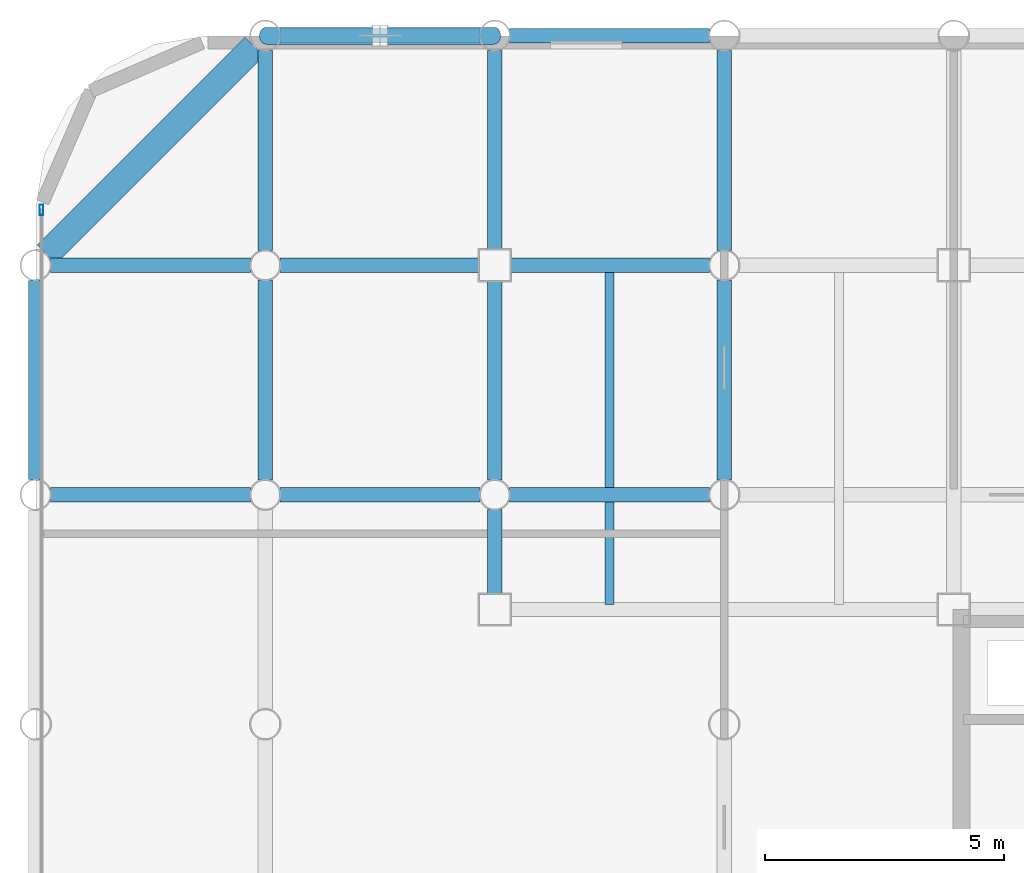
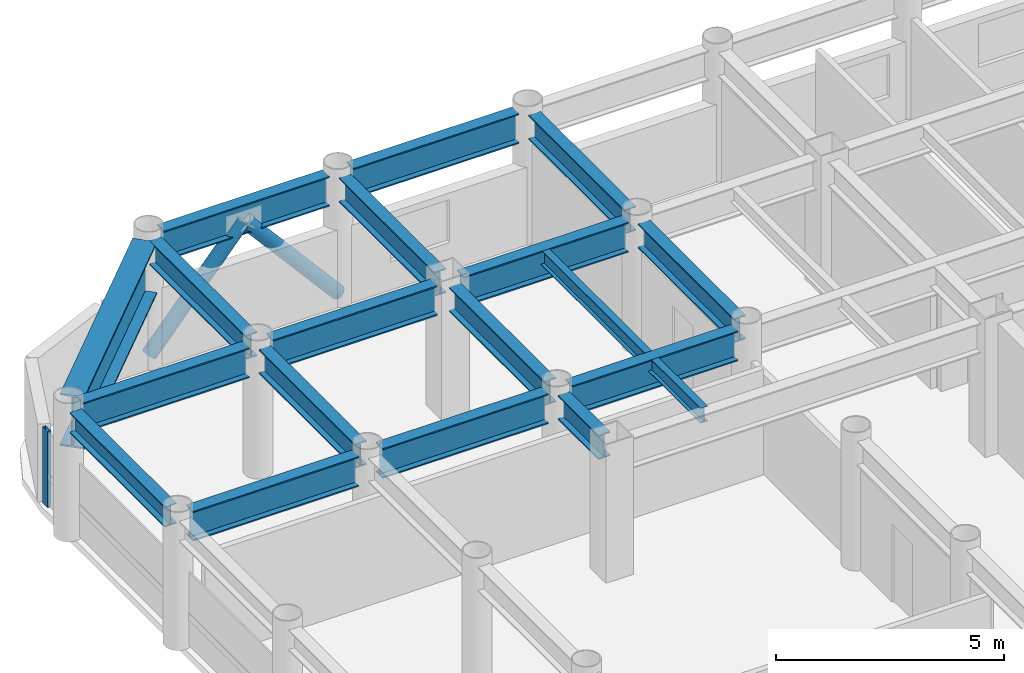
# One storey, part 9 of 20: 18 beams, 3 members, 1 element without a shape of its own.
"""IFC4 building model written with IfcOpenShell, lengths in metres."""

from ifc_helpers import new_model, si_unit, direction, frame, origin, origin_2d, place, context, subcontext, project, spatial, hollow_rectangle, hollow_circle, i_section, extrude, material, layer, layer_set, material_profile, profile_set, type_object, element, aggregate, save


model = new_model("IFC4")

# Units and contexts
model_context = context("Model", 3, precision=1e-05, world=origin(), true_north=direction((0.0, 1.0)))
body_context = subcontext(model_context, "Body", "Model", "MODEL_VIEW")
ifc_project = project(units=[si_unit("LENGTHUNIT", "METRE"), si_unit("AREAUNIT", "SQUARE_METRE"), si_unit("VOLUMEUNIT", "CUBIC_METRE"), si_unit("PLANEANGLEUNIT", "RADIAN"), si_unit("MASSUNIT", "GRAM", prefix="KILO")], contexts=[model_context])

# Site, building, storey
site_placement = place(None, origin())
site = spatial("IfcSite", under=ifc_project, at=site_placement, CompositionType="ELEMENT")
building_placement = place(site_placement, origin())
building = spatial("IfcBuilding", under=site, at=building_placement, Name="Kallvorn Hotel Tower", CompositionType="ELEMENT")
storey_placement = place(building_placement, frame((0.0, 0.0, 176.60009765625)))
storey = spatial("IfcBuildingStorey", under=building, at=storey_placement, Name="L44", CompositionType="ELEMENT", Elevation=176.60009765625)

# Beams
ifc_material_1 = material(Name="Structural steel S355JR", Category="steel")
ifc_material_profile_1 = material_profile(ifc_material_1, i_section(OverallWidth=0.300048828125, OverallDepth=0.550048828125, WebThickness=0.014892578125, FlangeThickness=0.029052734375, at=origin_2d()), Name="HE 550 B")
ifc_profile_set_1 = profile_set([ifc_material_profile_1], Name="Structural steel S355JR")
beam_type_1 = type_object("IfcBeamType", Name="BM_HE550B", PredefinedType="SPANDREL", material=ifc_profile_set_1)
beam_1_placement = place(storey_placement, frame((-33.60009765625, 9.919921875, 3.204833984375), z_axis=(0.0, 1.0, 0.0), x_axis=(-1.0, 0.0, 0.0)))
element("IfcBeam", 1, at=beam_1_placement, inside=storey, type_object=beam_type_1, Name="L45 Perimeter Spandrel 180", PredefinedType="SPANDREL", context=body_context, shape_type="SweptSolid", body=[
    extrude(i_section(OverallWidth=0.300048828125, OverallDepth=0.550048828125, WebThickness=0.014892578125, FlangeThickness=0.029052734375, at=origin_2d()), origin(), (0.0, 0.0, 1.0), 4.16015625),
])
ifc_material_2 = material(Name="Structural steel S355JR", Category="steel")
ifc_material_profile_2 = material_profile(ifc_material_2, i_section(OverallWidth=0.300048828125, OverallDepth=0.64990234375, WebThickness=0.01611328125, FlangeThickness=0.031005859375, at=origin_2d()), Name="HE 650 B")
ifc_profile_set_2 = profile_set([ifc_material_profile_2], Name="Structural steel S355JR")
beam_type_2 = type_object("IfcBeamType", Name="BM_HE650B", PredefinedType="BEAM", material=ifc_profile_set_2)
for number, where, z_axis, x_axis, name in (
    (2, (-28.800048828125, 9.905029296875, 3.15478515625), (0.0, 1.0, 0.0), (-1.0, 0.0, 0.0), "L45 Primary Y-Girder 80"),
    (3, (-28.800048828125, 14.705078125, 3.15478515625), (0.0, 1.0, 0.0), (-1.0, 0.0, 0.0), "L45 Primary Y-Girder 81"),
):
    element("IfcBeam", number, at=place(storey_placement, frame(where, z_axis=z_axis, x_axis=x_axis)), inside=storey, type_object=beam_type_2, Name=name, PredefinedType="BEAM", context=body_context, shape_type="SweptSolid", body=[
        extrude(i_section(OverallWidth=0.300048828125, OverallDepth=0.64990234375, WebThickness=0.01611328125, FlangeThickness=0.031005859375, at=origin_2d()), origin(), (0.0, 0.0, 1.0), 4.18994140625),
    ])
beam_2_placement = place(storey_placement, frame((-24.0, 7.52490234375, 3.15478515625), z_axis=(0.0, 1.0, 0.0), x_axis=(-1.0, 0.0, 0.0)))
element("IfcBeam", 4, at=beam_2_placement, inside=storey, type_object=beam_type_2, Name="L45 Primary Y-Girder 86", PredefinedType="BEAM", context=body_context, shape_type="SweptSolid", body=[
    extrude(i_section(OverallWidth=0.300048828125, OverallDepth=0.64990234375, WebThickness=0.01611328125, FlangeThickness=0.031005859375, at=origin_2d()), origin(), (0.0, 0.0, 1.0), 1.77001953125),
])
for number, where, z_axis, x_axis, name in (
    (5, (-24.0, 9.905029296875, 3.15478515625), (0.0, 1.0, 0.0), (-1.0, 0.0, 0.0), "L45 Primary Y-Girder 87"),
    (6, (-24.0, 14.72509765625, 3.15478515625), (0.0, 1.0, 0.0), (-1.0, 0.0, 0.0), "L45 Primary Y-Girder 88"),
):
    element("IfcBeam", number, at=place(storey_placement, frame(where, z_axis=z_axis, x_axis=x_axis)), inside=storey, type_object=beam_type_2, Name=name, PredefinedType="BEAM", context=body_context, shape_type="SweptSolid", body=[
        extrude(i_section(OverallWidth=0.300048828125, OverallDepth=0.64990234375, WebThickness=0.01611328125, FlangeThickness=0.031005859375, at=origin_2d()), origin(), (0.0, 0.0, 1.0), 4.169921875),
    ])
for number, where, z_axis, x_axis, name in (
    (7, (-19.199951171875, 9.905029296875, 3.15478515625), (0.0, 1.0, 0.0), (-1.0, 0.0, 0.0), "L45 Primary Y-Girder 96"),
    (8, (-19.199951171875, 14.705078125, 3.15478515625), (0.0, 1.0, 0.0), (-1.0, 0.0, 0.0), "L45 Primary Y-Girder 97"),
):
    element("IfcBeam", number, at=place(storey_placement, frame(where, z_axis=z_axis, x_axis=x_axis)), inside=storey, type_object=beam_type_2, Name=name, PredefinedType="BEAM", context=body_context, shape_type="SweptSolid", body=[
        extrude(i_section(OverallWidth=0.300048828125, OverallDepth=0.64990234375, WebThickness=0.01611328125, FlangeThickness=0.031005859375, at=origin_2d()), origin(), (0.0, 0.0, 1.0), 4.18994140625),
    ])
ifc_material_3 = material(Name="Structural steel S355JR", Category="steel")
ifc_material_profile_3 = material_profile(ifc_material_3, i_section(OverallWidth=0.300048828125, OverallDepth=0.800048828125, WebThickness=0.017578125, FlangeThickness=0.032958984375, at=origin_2d()), Name="HE 800 B")
ifc_profile_set_3 = profile_set([ifc_material_profile_3], Name="Structural steel S355JR")
beam_type_3 = type_object("IfcBeamType", Name="BM_HE800B", PredefinedType="BEAM", material=ifc_profile_set_3)
beam_3_placement = place(storey_placement, frame((-33.294921875, 9.60009765625, 3.079833984375), z_axis=(1.0, 0.0, 0.0), x_axis=(0.0, 1.0, 0.0)))
element("IfcBeam", 9, at=beam_3_placement, inside=storey, type_object=beam_type_3, Name="L45 Primary X-Girder 42", PredefinedType="BEAM", context=body_context, shape_type="SweptSolid", body=[
    extrude(i_section(OverallWidth=0.300048828125, OverallDepth=0.800048828125, WebThickness=0.017578125, FlangeThickness=0.032958984375, at=origin_2d()), origin(), (0.0, 0.0, 1.0), 4.18994140625),
])
for number, where, z_axis, x_axis, name in (
    (10, (-28.4951171875, 9.60009765625, 3.079833984375), (1.0, 0.0, 0.0), (0.0, 1.0, 0.0), "L45 Primary X-Girder 43"),
    (11, (-23.695068359375, 9.60009765625, 3.079833984375), (1.0, 0.0, 0.0), (0.0, 1.0, 0.0), "L45 Primary X-Girder 44"),
):
    element("IfcBeam", number, at=place(storey_placement, frame(where, z_axis=z_axis, x_axis=x_axis)), inside=storey, type_object=beam_type_3, Name=name, PredefinedType="BEAM", context=body_context, shape_type="SweptSolid", body=[
        extrude(i_section(OverallWidth=0.300048828125, OverallDepth=0.800048828125, WebThickness=0.017578125, FlangeThickness=0.032958984375, at=origin_2d()), origin(), (0.0, 0.0, 1.0), 4.190185546875),
    ])
beam_4_placement = place(storey_placement, frame((-33.294921875, 14.39990234375, 3.079833984375), z_axis=(1.0, 0.0, 0.0), x_axis=(0.0, 1.0, 0.0)))
element("IfcBeam", 12, at=beam_4_placement, inside=storey, type_object=beam_type_3, Name="L45 Primary X-Girder 51", PredefinedType="BEAM", context=body_context, shape_type="SweptSolid", body=[
    extrude(i_section(OverallWidth=0.300048828125, OverallDepth=0.800048828125, WebThickness=0.017578125, FlangeThickness=0.032958984375, at=origin_2d()), origin(), (0.0, 0.0, 1.0), 4.18994140625),
])
for number, where, z_axis, x_axis, name in (
    (13, (-28.4951171875, 14.39990234375, 3.079833984375), (1.0, 0.0, 0.0), (0.0, 1.0, 0.0), "L45 Primary X-Girder 52"),
    (14, (-23.675048828125, 14.39990234375, 3.079833984375), (1.0, 0.0, 0.0), (0.0, 1.0, 0.0), "L45 Primary X-Girder 53"),
):
    element("IfcBeam", number, at=place(storey_placement, frame(where, z_axis=z_axis, x_axis=x_axis)), inside=storey, type_object=beam_type_3, Name=name, PredefinedType="BEAM", context=body_context, shape_type="SweptSolid", body=[
        extrude(i_section(OverallWidth=0.300048828125, OverallDepth=0.800048828125, WebThickness=0.017578125, FlangeThickness=0.032958984375, at=origin_2d()), origin(), (0.0, 0.0, 1.0), 4.170166015625),
    ])
for number, where, z_axis, x_axis, name in (
    (15, (-28.4951171875, 19.199951171875, 3.079833984375), (1.0, 0.0, 0.0), (0.0, 1.0, 0.0), "L45 Primary X-Girder 61"),
    (16, (-23.695068359375, 19.199951171875, 3.079833984375), (1.0, 0.0, 0.0), (0.0, 1.0, 0.0), "L45 Primary X-Girder 62"),
):
    element("IfcBeam", number, at=place(storey_placement, frame(where, z_axis=z_axis, x_axis=x_axis)), inside=storey, type_object=beam_type_3, Name=name, PredefinedType="BEAM", context=body_context, shape_type="SweptSolid", body=[
        extrude(i_section(OverallWidth=0.300048828125, OverallDepth=0.800048828125, WebThickness=0.017578125, FlangeThickness=0.032958984375, at=origin_2d()), origin(), (0.0, 0.0, 1.0), 4.190185546875),
    ])
ifc_material_4 = material(Name="Structural steel S355JR", Category="steel")
ifc_material_profile_4 = material_profile(ifc_material_4, i_section(OverallWidth=0.179931640625, OverallDepth=0.39990234375, WebThickness=0.008544921875, FlangeThickness=0.013427734375, at=origin_2d()), Name="IPE 400")
ifc_profile_set_4 = profile_set([ifc_material_profile_4], Name="Structural steel S355JR")
beam_type_4 = type_object("IfcBeamType", Name="BM_IPE400", PredefinedType="JOIST", material=ifc_profile_set_4)
beam_5_placement = place(storey_placement, frame((-21.60009765625, 7.300048828125, 3.27978515625), z_axis=(0.0, 1.0, 0.0), x_axis=(-1.0, 0.0, 0.0)))
element("IfcBeam", 17, at=beam_5_placement, inside=storey, type_object=beam_type_4, Name="L45 Secondary Composite Joist 193", PredefinedType="JOIST", context=body_context, shape_type="SweptSolid", body=[
    extrude(i_section(OverallWidth=0.179931640625, OverallDepth=0.39990234375, WebThickness=0.008544921875, FlangeThickness=0.013427734375, at=origin_2d()), origin(), (0.0, 0.0, 1.0), 7.0),
])
ifc_material_5 = material(Name="Structural steel S355JR", Category="steel")
ifc_material_profile_5 = material_profile(ifc_material_5, i_section(OverallWidth=0.550048828125, OverallDepth=1.39990234375, WebThickness=0.02490234375, FlangeThickness=0.044921875, at=origin_2d()), Name="PG 1400x550x25x45")
ifc_profile_set_5 = profile_set([ifc_material_profile_5], Name="Structural steel S355JR")
beam_type_5 = type_object("IfcBeamType", Name="BM_PG_1400", PredefinedType="BEAM", material=ifc_profile_set_5)
beam_6_placement = place(storey_placement, frame((-33.373779296875, 14.626220703125, 2.77978515625), z_axis=(0.707106781187, 0.707106781187, 0.0), x_axis=(-0.707106781187, 0.707106781187, 0.0)))
element("IfcBeam", 18, at=beam_6_placement, inside=storey, type_object=beam_type_5, Name="L45 Rounded Corner Tie Beam 190", PredefinedType="BEAM", context=body_context, shape_type="SweptSolid", body=[
    extrude(i_section(OverallWidth=0.550048828125, OverallDepth=1.39990234375, WebThickness=0.02490234375, FlangeThickness=0.044921875, at=origin_2d()), origin(), (0.0, 0.0, 1.0), 6.148193359375),
])

# Curtain wall, member
ifc_material_6 = material(Name="Thermally broken black-anodised aluminium AA 6063-T6", Category="aluminium")
ifc_layer = layer(ifc_material_6, 0.2099609375)
ifc_layer_set = layer_set([ifc_layer], Name="CW_SYS_4_HOTEL_MID")
curtain_wall_type = type_object("IfcCurtainWallType", Name="CW_SYS_4_HOTEL_MID", PredefinedType="USERDEFINED", material=ifc_layer_set)
curtain_wall_placement = place(storey_placement, origin())
curtain_wall = element("IfcCurtainWall", 19, at=curtain_wall_placement, inside=storey, type_object=curtain_wall_type, Name="L44 Dark-Glass Curtain Wall CW-L44-WN", ObjectType="UNITISED CURTAIN WALL", PredefinedType="USERDEFINED")
ifc_material_7 = material(Name="Thermally broken black-anodised aluminium AA 6063-T6", Category="aluminium")
ifc_material_profile_6 = material_profile(ifc_material_7, hollow_rectangle(XDim=0.080078125, YDim=0.219970703125, WallThickness=0.0048828125, at=origin_2d()), Name="MUL 220x80")
ifc_profile_set_6 = profile_set([ifc_material_profile_6], Name="Thermally broken black-anodised aluminium AA 6063-T6")
member_type_1 = type_object("IfcMemberType", Name="CW_MULLION_220x80", PredefinedType="MULLION", material=ifc_profile_set_6)
member_placement = place(storey_placement, frame((-33.47998046875, 15.56005859375, 0.02001953125), z_axis=(0.0, 0.0, 1.0), x_axis=(1.0, 0.0, 0.0)))
member = element("IfcMember", 20, at=member_placement, type_object=member_type_1, Name="CW-L44-WN Mullion 01", PredefinedType="MULLION", context=body_context, shape_type="SweptSolid", body=[
    extrude(hollow_rectangle(XDim=0.080078125, YDim=0.219970703125, WallThickness=0.0048828125, at=origin_2d()), origin(), (0.0, 0.0, 1.0), 2.039794921875),
])
aggregate(curtain_wall, [member])

# Members
ifc_material_8 = material(Name="Structural steel S355J2H", Category="steel")
ifc_material_profile_7 = material_profile(ifc_material_8, hollow_circle(Radius=0.177734375, WallThickness=0.01416015625, at=origin_2d()), Name="CHS 355.6x14.2")
ifc_profile_set_7 = profile_set([ifc_material_profile_7], Name="Structural steel S355J2H")
member_type_2 = type_object("IfcMemberType", Name="MBR_EXO_CHS355", PredefinedType="BRACE", material=ifc_profile_set_7)
for number, where, z_axis, x_axis, name in (
    (21, (-28.787109375, 19.199951171875, 0.195068359375), (0.65217111297, 0.0, 0.758071790405), (0.0, 1.0, 0.0), "L44 Exoskeleton K-Brace N1A"),
    (22, (-24.012939453125, 19.199951171875, 0.195068359375), (-0.65217111297, 0.0, 0.758071790405), (0.0, -1.0, 0.0), "L44 Exoskeleton K-Brace N1B"),
):
    element("IfcMember", number, at=place(storey_placement, frame(where, z_axis=z_axis, x_axis=x_axis)), inside=storey, type_object=member_type_2, Name=name, PredefinedType="BRACE", context=body_context, shape_type="SweptSolid", body=[
        extrude(hollow_circle(Radius=0.177734375, WallThickness=0.01416015625, at=origin_2d()), origin(), (0.0, 0.0, 1.0), 3.64013671875),
    ])

save(model, "model.ifc")
